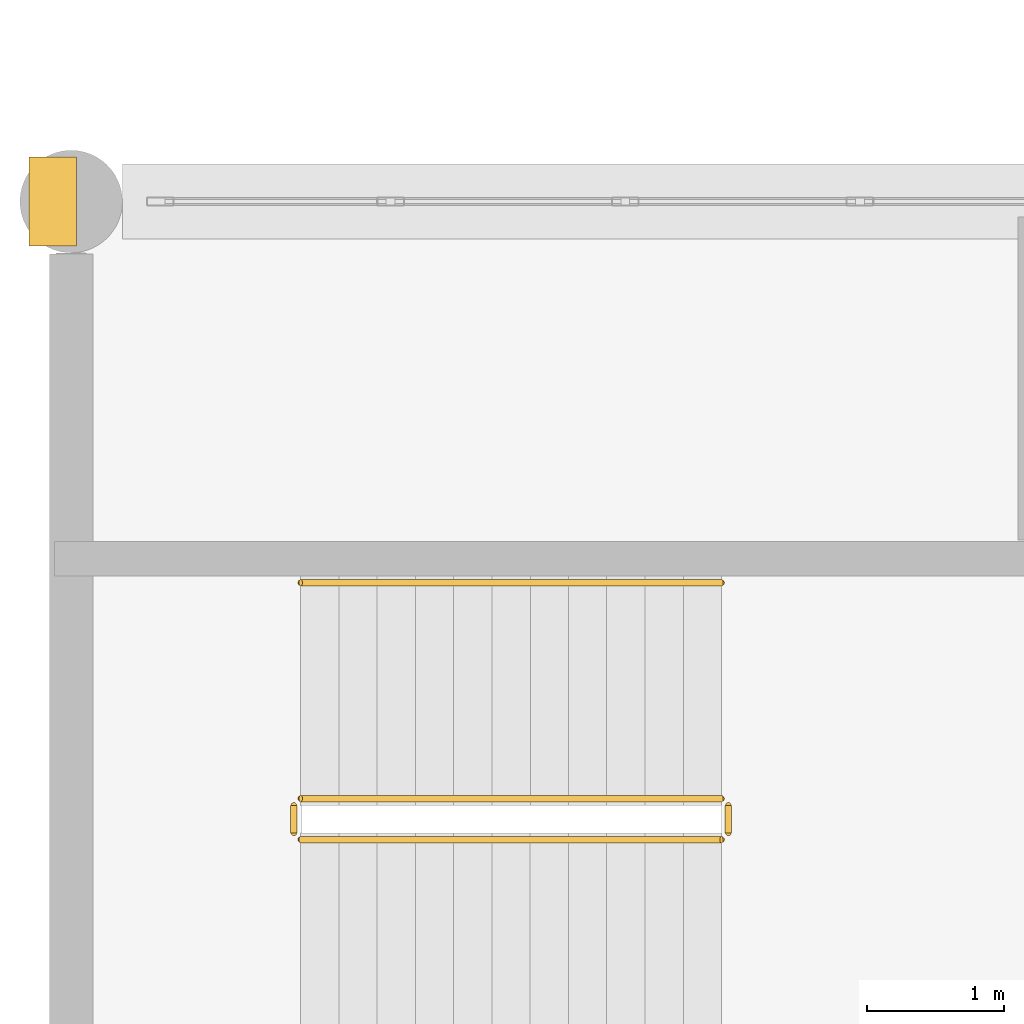
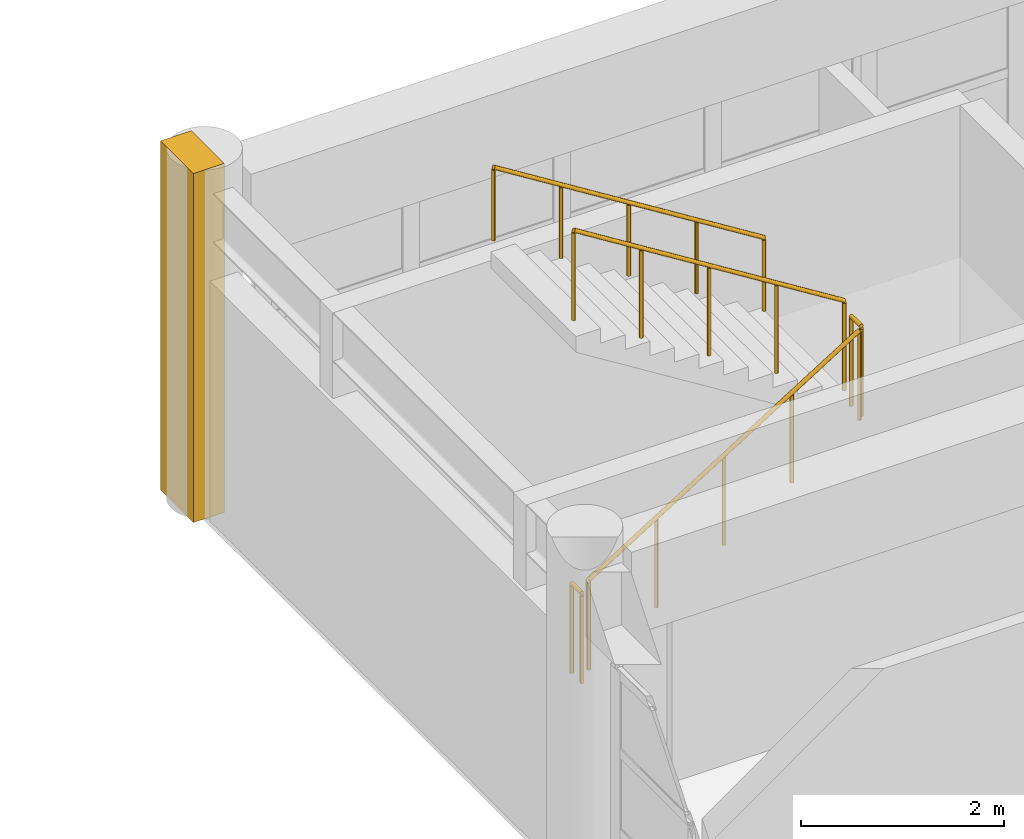
# One storey, part 120 of 132: 5 railings, 1 covering.
"""IFC4 building model written with IfcOpenShell, lengths in metres."""

import ifcopenshell
import ifcopenshell.guid

model = None  # the IFC model being written
_history = None  # IfcOwnerHistory: only IFC2X3 demands one
_inside = {}  # id of a spatial element -> (the spatial element, [elements in it])
_under = {}  # id of a project, library or spatial element -> (it, [spatial elements below it])
_declared = {}  # id of a project -> (the project, [libraries it declares])
_typed = {}  # id of a type object -> (the type object, [elements of that type])
_made_of = {}  # id of a material, layer set ... -> (it, [elements and type objects made of it])


def new_model(schema):
    """Start an empty IFC model of exactly this schema.

    Asked for "IFC4X3", IfcOpenShell would pick the latest addendum, in which some entities
    have other attributes; the version numbers below select the first issue.
    IFC2X3 requires an IfcOwnerHistory on every rooted entity: one is made here for all.
    """
    global model, _history
    if schema == "IFC4X3":
        model = ifcopenshell.file(schema_version=(4, 3, 0, 0))
    else:
        model = ifcopenshell.file(schema=schema)
    _inside.clear()
    _under.clear()
    _declared.clear()
    _typed.clear()
    _made_of.clear()
    _history = None
    if model.schema == "IFC2X3":
        org = make("IfcOrganization", Name="unknown")
        user = make(
            "IfcPersonAndOrganization",
            ThePerson=make("IfcPerson", FamilyName="unknown"),
            TheOrganization=org,
        )
        app = make(
            "IfcApplication",
            ApplicationDeveloper=org,
            Version="unknown",
            ApplicationFullName="unknown",
            ApplicationIdentifier="unknown",
        )
        _history = make(
            "IfcOwnerHistory",
            OwningUser=user,
            OwningApplication=app,
            ChangeAction="ADDED",
            CreationDate=0,
        )
    return model


def make(cls, **values):
    """One entity of the class cls with the attributes given. An attribute that is None is left unset."""
    return model.create_entity(
        cls, **{name: value for name, value in values.items() if value is not None}
    )


def rooted(cls, **values):
    """An entity with a GlobalId (a new one), such as an element, a storey or a relation."""
    return make(cls, GlobalId=ifcopenshell.guid.new(), OwnerHistory=_history, **values)


def si_unit(unit_type, name, prefix=None):
    """IfcSIUnit, for example si_unit("LENGTHUNIT", "METRE", prefix="MILLI")."""
    return make("IfcSIUnit", UnitType=unit_type, Prefix=prefix, Name=name)


def assignment(units):
    """IfcUnitAssignment: the units of a project."""
    return None if units is None else make("IfcUnitAssignment", Units=units)


def point(xyz):
    """IfcCartesianPoint."""
    return None if xyz is None else make("IfcCartesianPoint", Coordinates=xyz)


def direction(xyz):
    """IfcDirection."""
    return None if xyz is None else make("IfcDirection", DirectionRatios=xyz)


def frame(location, z_axis=None, x_axis=None):
    """IfcAxis2Placement3D, a coordinate frame: its origin and axes. An axis left out is left unset."""
    return make(
        "IfcAxis2Placement3D",
        Location=point(location),
        Axis=direction(z_axis),
        RefDirection=direction(x_axis),
    )


def frame_2d(location, x_axis=None):
    """IfcAxis2Placement2D, a coordinate frame in the plane: its origin and x axis."""
    return make(
        "IfcAxis2Placement2D", Location=point(location), RefDirection=direction(x_axis)
    )


def origin():
    """The frame at (0, 0, 0) with its axes left unset."""
    return frame((0.0, 0.0, 0.0))


def origin_2d():
    """The frame at (0, 0) in the plane with its x axis left unset."""
    return frame_2d((0.0, 0.0))


def place(relative_to, where):
    """IfcLocalPlacement: puts the frame where relative to a parent placement (None: the world)."""
    return make(
        "IfcLocalPlacement", PlacementRelTo=relative_to, RelativePlacement=where
    )


def context(
    kind, dimensions, precision=None, world=None, true_north=None, identifier=None
):
    """IfcGeometricRepresentationContext, for example the 3D "Model" context."""
    return make(
        "IfcGeometricRepresentationContext",
        ContextIdentifier=identifier,
        ContextType=kind,
        CoordinateSpaceDimension=dimensions,
        Precision=precision,
        WorldCoordinateSystem=world,
        TrueNorth=true_north,
    )


def subcontext(parent, identifier, kind, view, scale=None):
    """IfcGeometricRepresentationSubContext, for example "Body" below "Model"."""
    return make(
        "IfcGeometricRepresentationSubContext",
        ContextIdentifier=identifier,
        ContextType=kind,
        ParentContext=parent,
        TargetScale=scale,
        TargetView=view,
    )


def project(units=None, contexts=None):
    """IfcProject with its units and contexts."""
    return rooted(
        "IfcProject",
        Name="project",
        RepresentationContexts=contexts,
        UnitsInContext=assignment(units),
    )


def spatial(cls, under=None, at=None, **own):
    """A site, building, storey or space (cls), placed at a placement, below another one or the project."""
    s = rooted(cls, ObjectPlacement=at, **own)
    if under is not None:
        _under.setdefault(under.id(), (under, []))[1].append(s)
    return s


def profile(cls, at=None, kind="AREA", **sizes):
    """A parametric profile (cls). Its sizes go by their IFC names, for example OverallWidth=200.0."""
    return make(cls, ProfileType=kind, Position=at, **sizes)


def rectangle(**sizes):
    """IfcRectangleProfileDef."""
    return profile("IfcRectangleProfileDef", **sizes)


def circle(**sizes):
    """IfcCircleProfileDef."""
    return profile("IfcCircleProfileDef", **sizes)


def extrude(swept, where, along, depth):
    """IfcExtrudedAreaSolid: the profile swept, set in the frame where, extruded along a direction by depth."""
    return make(
        "IfcExtrudedAreaSolid",
        SweptArea=swept,
        Position=where,
        ExtrudedDirection=direction(along),
        Depth=depth,
    )


def shape(context_of_items, identifier, shape_type, items):
    """IfcShapeRepresentation: the items that make up one representation, for example the "Body"."""
    return make(
        "IfcShapeRepresentation",
        ContextOfItems=context_of_items,
        RepresentationIdentifier=identifier,
        RepresentationType=shape_type,
        Items=items,
    )


def material(Name=None, Category=None):
    """IfcMaterial."""
    return make("IfcMaterial", Name=Name, Category=Category)


def layer(
    of_material, thickness, ventilated=None, Name=None, Category=None, Priority=None
):
    """IfcMaterialLayer: one layer of a wall or slab, of a material (None: an air gap)."""
    return make(
        "IfcMaterialLayer",
        Material=of_material,
        LayerThickness=thickness,
        IsVentilated=ventilated,
        Name=Name,
        Category=Category,
        Priority=Priority,
    )


def layer_set(layers, Name=None):
    """IfcMaterialLayerSet."""
    return make("IfcMaterialLayerSet", MaterialLayers=layers, LayerSetName=Name)


def made_of(thing, what):
    """Note that an element or type object is made of a material, layer set ...; save() writes the relation."""
    if what is not None:
        _made_of.setdefault(what.id(), (what, []))[1].append(thing)
    return thing


def type_object(cls, material=None, **own):
    """A type object (cls), such as IfcWallType, which elements share."""
    return made_of(rooted(cls, **own), material)


def element(
    cls,
    number,
    at=None,
    inside=None,
    cuts=None,
    type_object=None,
    material=None,
    context=None,
    identifier="Body",
    shape_type=None,
    held_by="IfcProductDefinitionShape",
    body=None,
    shapes=None,
    **own,
):
    """One element of the class cls, such as IfcWall. Its Tag is "e" and its number.

    at: its placement. inside: the storey or other place that contains it. cuts: it is an
    opening in that element (IfcRelVoidsElement). A single representation is given by context,
    identifier, shape_type and body (its items); several are given by shapes. held_by: the class
    of the entity that holds the representations. save() writes the other relations.
    """
    e = rooted(cls, Tag="e%d" % number, ObjectPlacement=at, **own)
    if body is not None:
        shapes = [shape(context, identifier, shape_type, body)]
    if shapes is not None:
        e.Representation = make(held_by, Representations=shapes)
    if inside is not None:
        _inside.setdefault(inside.id(), (inside, []))[1].append(e)
    if cuts is not None:
        rooted(
            "IfcRelVoidsElement", RelatingBuildingElement=cuts, RelatedOpeningElement=e
        )
    if type_object is not None:
        _typed.setdefault(type_object.id(), (type_object, []))[1].append(e)
    return made_of(e, material)


def aggregate(whole, parts):
    """IfcRelAggregates: a whole, such as a stair, and the parts it consists of."""
    return rooted("IfcRelAggregates", RelatingObject=whole, RelatedObjects=parts)


def save(model, path):
    """Write the relations noted so far, then the file.

    IfcRelAggregates (storeys below a building ...), IfcRelContainedInSpatialStructure (elements
    in a storey), IfcRelDefinesByType, IfcRelAssociatesMaterial and IfcRelDeclares: one each for
    every whole, place, type object, material and project.
    """
    for whole, parts in _under.values():
        aggregate(whole, parts)
    for where, things in _inside.values():
        rooted(
            "IfcRelContainedInSpatialStructure",
            RelatedElements=things,
            RelatingStructure=where,
        )
    for kind, things in _typed.values():
        rooted("IfcRelDefinesByType", RelatedObjects=things, RelatingType=kind)
    for what, things in _made_of.values():
        rooted("IfcRelAssociatesMaterial", RelatedObjects=things, RelatingMaterial=what)
    for by, libraries in _declared.values():
        rooted("IfcRelDeclares", RelatingContext=by, RelatedDefinitions=libraries)
    model.write(path)


model = new_model("IFC4")

# Units and contexts
model_context = context("Model", 3, precision=1e-05, world=origin(), true_north=direction((0.0, 1.0)))
body_context = subcontext(model_context, "Body", "Model", "MODEL_VIEW")
ifc_project = project(units=[si_unit("LENGTHUNIT", "METRE"), si_unit("AREAUNIT", "SQUARE_METRE"), si_unit("VOLUMEUNIT", "CUBIC_METRE"), si_unit("PLANEANGLEUNIT", "RADIAN"), si_unit("MASSUNIT", "GRAM", prefix="KILO")], contexts=[model_context])

# Site, building, storey
site_placement = place(None, origin())
site = spatial("IfcSite", under=ifc_project, at=site_placement, CompositionType="ELEMENT")
building_placement = place(site_placement, origin())
building = spatial("IfcBuilding", under=site, at=building_placement, Name="Qasida Concert Hall", CompositionType="ELEMENT")
storey_placement = place(building_placement, frame((0.0, 0.0, 4.800048828125)))
storey = spatial("IfcBuildingStorey", under=building, at=storey_placement, Name="L01", CompositionType="ELEMENT", Elevation=4.800048828125)

# Covering
ifc_material_1 = material(Name="Projecting fluted Lebanese limestone Art Deco pilaster", Category="masonry")
ifc_layer_1 = layer(ifc_material_1, 0.35009765625, Name="Projecting fluted Lebanese limestone Art Deco pilaster")
ifc_layer_set_1 = layer_set([ifc_layer_1], Name="Projecting fluted Lebanese limestone Art Deco pilaster")
covering_type = type_object("IfcCoveringType", Name="CV-PIL-650", PredefinedType="CLADDING", material=ifc_layer_set_1)
covering_placement = place(storey_placement, frame((-0.135009765625, 52.5, 0.0), z_axis=(0.0, 0.0, 1.0), x_axis=(1.0, 0.0, 0.0)))
element("IfcCovering", 1, at=covering_placement, inside=storey, type_object=covering_type, Name="L01 fluted limestone pilaster 0186", PredefinedType="CLADDING", context=body_context, shape_type="SweptSolid", body=[
    extrude(rectangle(XDim=0.35009765625, YDim=0.64990234375, at=origin_2d()), origin(), (0.0, 0.0, 1.0), 4.199951171875),
])

# Railings
ifc_material_2 = material(Name="Patinated architectural bronze and laminated glass infill", Category="glass")
ifc_layer_2 = layer(ifc_material_2, 0.080078125, Name="Patinated architectural bronze and laminated glass infill")
ifc_layer_set_2 = layer_set([ifc_layer_2], Name="Patinated architectural bronze and laminated glass infill")
railing_type_1 = type_object("IfcRailingType", Name="RL-GRD-1100", PredefinedType="GUARDRAIL", material=ifc_layer_set_2)
railing_1_placement = place(storey_placement, frame((1.679931640625, 47.830078125, 0.175048828125)))
element("IfcRailing", 2, at=railing_1_placement, inside=storey, type_object=railing_type_1, Name="L01 ST-04 stair guard 1", PredefinedType="GUARDRAIL", context=body_context, shape_type="SweptSolid", body=[
    extrude(circle(Radius=0.02392578125, at=origin_2d()), frame((0.0, 0.0, 1.076171875), z_axis=(0.848028513186, 0.0, 0.529950602248), x_axis=(0.0, 1.0, 0.0)), (0.0, 0.0, 1.0), 3.632080078125),
    extrude(circle(Radius=0.02099609375, at=origin_2d()), origin(), (0.0, 0.0, 1.0), 1.052001953125),
    extrude(circle(Radius=0.02099609375, at=origin_2d()), frame((0.77001953125, 0.0, 0.481201171875)), (0.0, 0.0, 1.0), 1.052001953125),
    extrude(circle(Radius=0.02099609375, at=origin_2d()), frame((1.5400390625, 0.0, 0.96240234375)), (0.0, 0.0, 1.0), 1.052001953125),
    extrude(circle(Radius=0.02099609375, at=origin_2d()), frame((2.31005859375, 0.0, 1.443603515625)), (0.0, 0.0, 1.0), 1.052001953125),
    extrude(circle(Radius=0.02099609375, at=origin_2d()), frame((3.080078125, 0.0, 1.9248046875)), (0.0, 0.0, 1.0), 1.052001953125),
])
railing_2_placement = place(storey_placement, frame((4.81005859375, 47.8798828125, 2.099853515625)))
element("IfcRailing", 3, at=railing_2_placement, inside=storey, type_object=railing_type_1, Name="L01 ST-04 stair guard 2", PredefinedType="GUARDRAIL", context=body_context, shape_type="SweptSolid", body=[
    extrude(circle(Radius=0.02392578125, at=origin_2d()), frame((0.0, 0.0, 1.076171875), z_axis=(0.0, 1.0, 0.0), x_axis=(-1.0, 0.0, 0.0)), (0.0, 0.0, 1.0), 0.2001953125),
    extrude(circle(Radius=0.02099609375, at=origin_2d()), origin(), (0.0, 0.0, 1.0), 1.052001953125),
    extrude(circle(Radius=0.02099609375, at=origin_2d()), frame((0.0, 0.2001953125, 0.0)), (0.0, 0.0, 1.0), 1.052001953125),
])
railing_3_placement = place(storey_placement, frame((4.760009765625, 48.1298828125, 2.27490234375)))
element("IfcRailing", 4, at=railing_3_placement, inside=storey, type_object=railing_type_1, Name="L01 ST-04 stair guard 3", PredefinedType="GUARDRAIL", context=body_context, shape_type="SweptSolid", body=[
    extrude(circle(Radius=0.02392578125, at=origin_2d()), frame((0.0, 0.0, 1.076171875), z_axis=(-0.847998304005, 0.0, 0.529998940003), x_axis=(0.0, -1.0, 0.0)), (0.0, 0.0, 1.0), 3.632080078125),
    extrude(circle(Radius=0.02099609375, at=origin_2d()), origin(), (0.0, 0.0, 1.0), 1.052001953125),
    extrude(circle(Radius=0.02099609375, at=origin_2d()), frame((-0.77001953125, 0.0, 0.481201171875)), (0.0, 0.0, 1.0), 1.052001953125),
    extrude(circle(Radius=0.02099609375, at=origin_2d()), frame((-1.5400390625, 0.0, 0.96240234375)), (0.0, 0.0, 1.0), 1.052001953125),
    extrude(circle(Radius=0.02099609375, at=origin_2d()), frame((-2.31005859375, 0.0, 1.44384765625)), (0.0, 0.0, 1.0), 1.052001953125),
    extrude(circle(Radius=0.02099609375, at=origin_2d()), frame((-3.080078125, 0.0, 1.925048828125)), (0.0, 0.0, 1.0), 1.052001953125),
])
railing_4_placement = place(storey_placement, frame((1.6298828125, 47.8798828125, 0.0)))
element("IfcRailing", 5, at=railing_4_placement, inside=storey, type_object=railing_type_1, Name="L01 ST-04 stair guard 4", PredefinedType="GUARDRAIL", context=body_context, shape_type="SweptSolid", body=[
    extrude(circle(Radius=0.02392578125, at=origin_2d()), frame((0.0, 0.0, 1.076171875), z_axis=(0.0, 1.0, 0.0), x_axis=(-1.0, 0.0, 0.0)), (0.0, 0.0, 1.0), 0.2001953125),
    extrude(circle(Radius=0.02099609375, at=origin_2d()), origin(), (0.0, 0.0, 1.0), 1.052001953125),
    extrude(circle(Radius=0.02099609375, at=origin_2d()), frame((0.0, 0.2001953125, 0.0)), (0.0, 0.0, 1.0), 1.052001953125),
])
ifc_material_3 = material(Name="Patinated tubular architectural bronze", Category="steel")
ifc_layer_3 = layer(ifc_material_3, 0.050048828125, Name="Patinated tubular architectural bronze")
ifc_layer_set_3 = layer_set([ifc_layer_3], Name="Patinated tubular architectural bronze")
railing_type_2 = type_object("IfcRailingType", Name="RL-HND-900", PredefinedType="HANDRAIL", material=ifc_layer_set_3)
railing_5_placement = place(storey_placement, frame((4.760009765625, 49.7099609375, 2.27490234375)))
element("IfcRailing", 6, at=railing_5_placement, inside=storey, type_object=railing_type_2, Name="L01 ST-04 stair handrail 2", PredefinedType="HANDRAIL", context=body_context, shape_type="SweptSolid", body=[
    extrude(circle(Radius=0.02392578125, at=origin_2d()), frame((0.0, 0.0, 0.8759765625), z_axis=(-0.847998304005, 0.0, 0.529998940003), x_axis=(0.0, -1.0, 0.0)), (0.0, 0.0, 1.0), 3.632080078125),
    extrude(circle(Radius=0.02099609375, at=origin_2d()), origin(), (0.0, 0.0, 1.0), 0.851806640625),
    extrude(circle(Radius=0.02099609375, at=origin_2d()), frame((-0.77001953125, 0.0, 0.481201171875)), (0.0, 0.0, 1.0), 0.851806640625),
    extrude(circle(Radius=0.02099609375, at=origin_2d()), frame((-1.5400390625, 0.0, 0.96240234375)), (0.0, 0.0, 1.0), 0.851806640625),
    extrude(circle(Radius=0.02099609375, at=origin_2d()), frame((-2.31005859375, 0.0, 1.44384765625)), (0.0, 0.0, 1.0), 0.851806640625),
    extrude(circle(Radius=0.02099609375, at=origin_2d()), frame((-3.080078125, 0.0, 1.925048828125)), (0.0, 0.0, 1.0), 0.851806640625),
])

save(model, "model.ifc")
